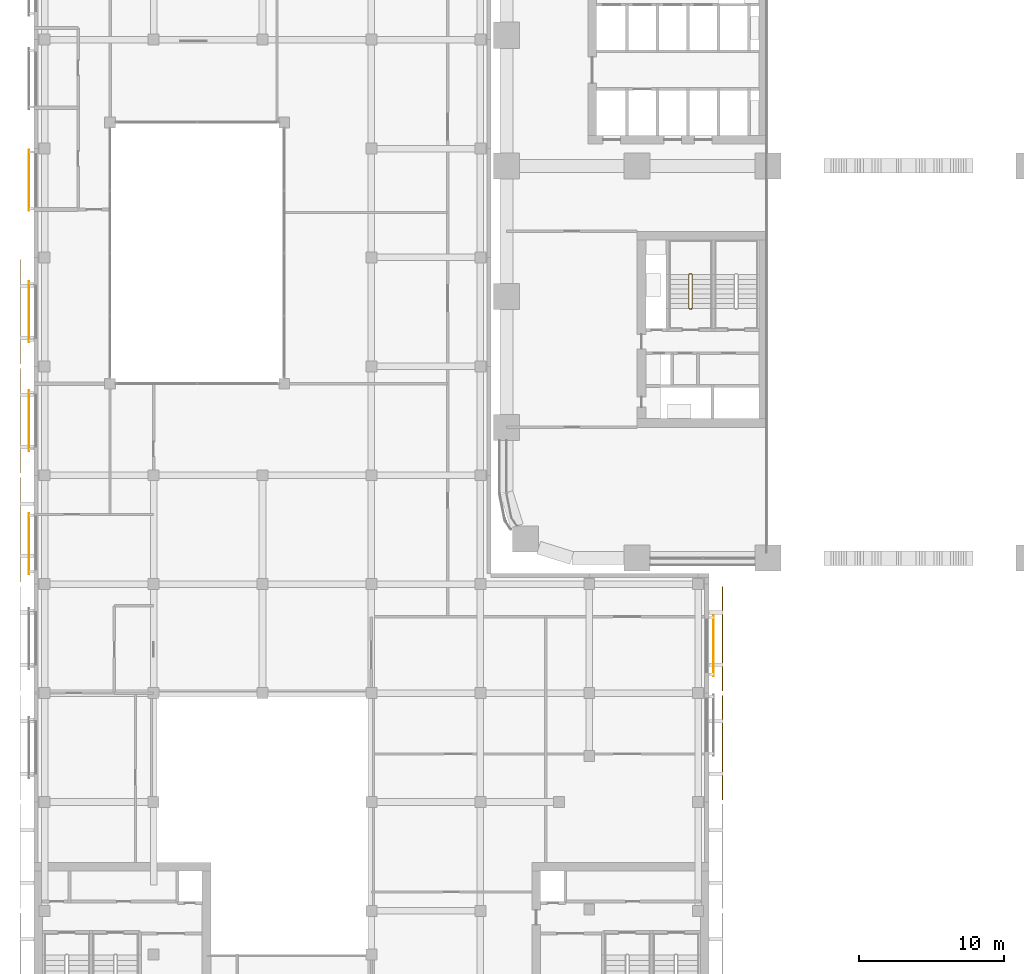
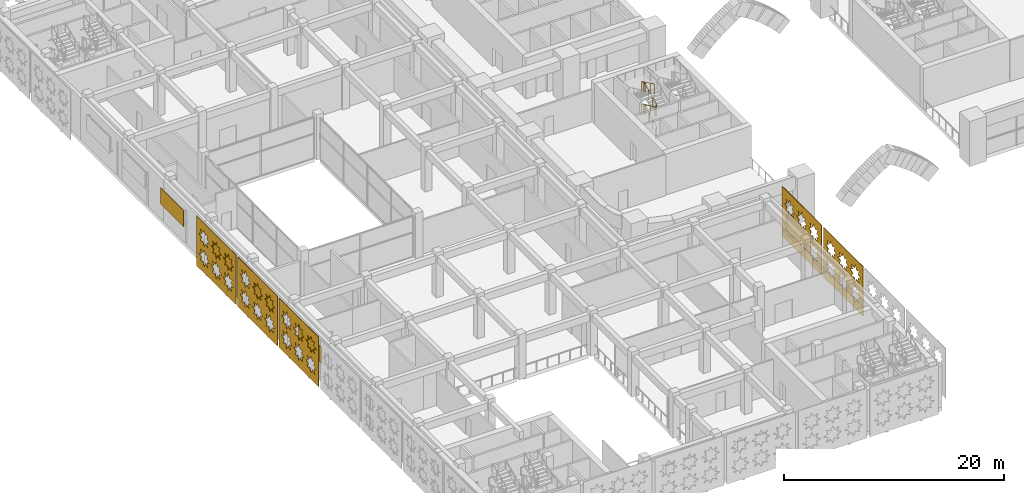
# One storey, part 32 of 40: 10 coverings, 1 railing.
"""IFC4 building model written with IfcOpenShell, lengths in metres."""

from ifc_helpers import new_model, si_unit, direction, frame, origin, origin_2d, place, context, subcontext, project, spatial, polyline, rectangle, circle, outline, extrude, material, layer, layer_set, type_object, element, save


model = new_model("IFC4")

# Units and contexts
model_context = context("Model", 3, precision=1e-05, world=origin(), true_north=direction((0.0, 1.0)))
body_context = subcontext(model_context, "Body", "Model", "MODEL_VIEW")
ifc_project = project(units=[si_unit("LENGTHUNIT", "METRE"), si_unit("AREAUNIT", "SQUARE_METRE"), si_unit("VOLUMEUNIT", "CUBIC_METRE"), si_unit("PLANEANGLEUNIT", "RADIAN"), si_unit("MASSUNIT", "GRAM", prefix="KILO")], contexts=[model_context])

# Site, building, storey
site_placement = place(None, origin())
site = spatial("IfcSite", under=ifc_project, at=site_placement, CompositionType="ELEMENT")
building_placement = place(site_placement, origin())
building = spatial("IfcBuilding", under=site, at=building_placement, Name="Tessera Arch", CompositionType="ELEMENT")
storey_placement = place(building_placement, frame((0.0, 0.0, 21.0)))
storey = spatial("IfcBuildingStorey", under=building, at=storey_placement, Name="L03", CompositionType="ELEMENT", Elevation=21.0)

# Coverings
ifc_material_1 = material(Name="Anodised aluminium pale metal", Category="aluminium")
ifc_layer_1 = layer(ifc_material_1, 0.050048828125)
ifc_layer_set_1 = layer_set([ifc_layer_1], Name="Museum lattice skin panel")
covering_type_1 = type_object("IfcCoveringType", Name="Museum lattice skin panel", PredefinedType="CLADDING", material=ifc_layer_set_1)
covering_1_placement = place(storey_placement, frame((14.85009765625, -16.64990234375, 5.60009765625), z_axis=(-1.0, 0.0, 0.0), x_axis=(0.0, 1.0, 0.0)))
element("IfcCovering", 1, at=covering_1_placement, inside=storey, type_object=covering_type_1, Name="Museum lattice skin L03 2-4", PredefinedType="CLADDING", context=body_context, shape_type="SweptSolid", body=[
    extrude(outline(polyline([(0.0, 0.0), (7.199951171875, 0.0), (7.199951171875, 5.5), (0.0, 5.5), (0.0, 0.0)]), holes=[polyline([(2.367919921875, 3.85009765625), (1.887939453125, 3.648193359375), (2.083984375, 3.166015625), (1.601806640625, 3.362060546875), (1.39990234375, 2.882080078125), (1.197998046875, 3.362060546875), (0.7158203125, 3.166015625), (0.911865234375, 3.648193359375), (0.431884765625, 3.85009765625), (0.911865234375, 4.052001953125), (0.7158203125, 4.5341796875), (1.197998046875, 4.338134765625), (1.39990234375, 4.818115234375), (1.601806640625, 4.338134765625), (2.083984375, 4.5341796875), (1.887939453125, 4.052001953125), (2.367919921875, 3.85009765625)]), polyline([(2.367919921875, 1.650146484375), (1.887939453125, 1.447998046875), (2.083984375, 0.966064453125), (1.601806640625, 1.162109375), (1.39990234375, 0.68212890625), (1.197998046875, 1.162109375), (0.7158203125, 0.966064453125), (0.911865234375, 1.447998046875), (0.431884765625, 1.650146484375), (0.911865234375, 1.85205078125), (0.7158203125, 2.333984375), (1.197998046875, 2.13818359375), (1.39990234375, 2.6181640625), (1.601806640625, 2.13818359375), (2.083984375, 2.333984375), (1.887939453125, 1.85205078125), (2.367919921875, 1.650146484375)]), polyline([(4.56787109375, 3.85009765625), (4.087890625, 3.648193359375), (4.283935546875, 3.166015625), (3.802001953125, 3.362060546875), (3.599853515625, 2.882080078125), (3.39794921875, 3.362060546875), (2.916015625, 3.166015625), (3.11181640625, 3.648193359375), (2.6318359375, 3.85009765625), (3.11181640625, 4.052001953125), (2.916015625, 4.5341796875), (3.39794921875, 4.338134765625), (3.599853515625, 4.818115234375), (3.802001953125, 4.338134765625), (4.283935546875, 4.5341796875), (4.087890625, 4.052001953125), (4.56787109375, 3.85009765625)]), polyline([(4.56787109375, 1.650146484375), (4.087890625, 1.447998046875), (4.283935546875, 0.966064453125), (3.802001953125, 1.162109375), (3.599853515625, 0.68212890625), (3.39794921875, 1.162109375), (2.916015625, 0.966064453125), (3.11181640625, 1.447998046875), (2.6318359375, 1.650146484375), (3.11181640625, 1.85205078125), (2.916015625, 2.333984375), (3.39794921875, 2.13818359375), (3.599853515625, 2.6181640625), (3.802001953125, 2.13818359375), (4.283935546875, 2.333984375), (4.087890625, 1.85205078125), (4.56787109375, 1.650146484375)]), polyline([(6.767822265625, 3.85009765625), (6.287841796875, 3.648193359375), (6.48388671875, 3.166015625), (6.001953125, 3.362060546875), (5.7998046875, 2.882080078125), (5.597900390625, 3.362060546875), (5.115966796875, 3.166015625), (5.31201171875, 3.648193359375), (4.831787109375, 3.85009765625), (5.31201171875, 4.052001953125), (5.115966796875, 4.5341796875), (5.597900390625, 4.338134765625), (5.7998046875, 4.818115234375), (6.001953125, 4.338134765625), (6.48388671875, 4.5341796875), (6.287841796875, 4.052001953125), (6.767822265625, 3.85009765625)]), polyline([(6.767822265625, 1.650146484375), (6.287841796875, 1.447998046875), (6.48388671875, 0.966064453125), (6.001953125, 1.162109375), (5.7998046875, 0.68212890625), (5.597900390625, 1.162109375), (5.115966796875, 0.966064453125), (5.31201171875, 1.447998046875), (4.831787109375, 1.650146484375), (5.31201171875, 1.85205078125), (5.115966796875, 2.333984375), (5.597900390625, 2.13818359375), (5.7998046875, 2.6181640625), (6.001953125, 2.13818359375), (6.48388671875, 2.333984375), (6.287841796875, 1.85205078125), (6.767822265625, 1.650146484375)])]), origin(), (0.0, 0.0, -1.0), 0.050048828125),
])
covering_2_placement = place(storey_placement, frame((14.85009765625, -9.14990234375, 5.60009765625), z_axis=(-1.0, 0.0, 0.0), x_axis=(0.0, 1.0, 0.0)))
element("IfcCovering", 2, at=covering_2_placement, inside=storey, type_object=covering_type_1, Name="Museum lattice skin L03 2-5", PredefinedType="CLADDING", context=body_context, shape_type="SweptSolid", body=[
    extrude(outline(polyline([(0.0, 0.0), (7.199951171875, 0.0), (7.199951171875, 5.5), (0.0, 5.5), (0.0, 0.0)]), holes=[polyline([(2.367919921875, 3.85009765625), (1.887939453125, 3.648193359375), (2.083984375, 3.166015625), (1.601806640625, 3.362060546875), (1.39990234375, 2.882080078125), (1.197998046875, 3.362060546875), (0.7158203125, 3.166015625), (0.911865234375, 3.648193359375), (0.431884765625, 3.85009765625), (0.911865234375, 4.052001953125), (0.7158203125, 4.5341796875), (1.197998046875, 4.338134765625), (1.39990234375, 4.818115234375), (1.601806640625, 4.338134765625), (2.083984375, 4.5341796875), (1.887939453125, 4.052001953125), (2.367919921875, 3.85009765625)]), polyline([(2.367919921875, 1.650146484375), (1.887939453125, 1.447998046875), (2.083984375, 0.966064453125), (1.601806640625, 1.162109375), (1.39990234375, 0.68212890625), (1.197998046875, 1.162109375), (0.7158203125, 0.966064453125), (0.911865234375, 1.447998046875), (0.431884765625, 1.650146484375), (0.911865234375, 1.85205078125), (0.7158203125, 2.333984375), (1.197998046875, 2.13818359375), (1.39990234375, 2.6181640625), (1.601806640625, 2.13818359375), (2.083984375, 2.333984375), (1.887939453125, 1.85205078125), (2.367919921875, 1.650146484375)]), polyline([(4.56787109375, 3.85009765625), (4.087890625, 3.648193359375), (4.283935546875, 3.166015625), (3.802001953125, 3.362060546875), (3.599853515625, 2.882080078125), (3.39794921875, 3.362060546875), (2.916015625, 3.166015625), (3.11181640625, 3.648193359375), (2.6318359375, 3.85009765625), (3.11181640625, 4.052001953125), (2.916015625, 4.5341796875), (3.39794921875, 4.338134765625), (3.599853515625, 4.818115234375), (3.802001953125, 4.338134765625), (4.283935546875, 4.5341796875), (4.087890625, 4.052001953125), (4.56787109375, 3.85009765625)]), polyline([(4.56787109375, 1.650146484375), (4.087890625, 1.447998046875), (4.283935546875, 0.966064453125), (3.802001953125, 1.162109375), (3.599853515625, 0.68212890625), (3.39794921875, 1.162109375), (2.916015625, 0.966064453125), (3.11181640625, 1.447998046875), (2.6318359375, 1.650146484375), (3.11181640625, 1.85205078125), (2.916015625, 2.333984375), (3.39794921875, 2.13818359375), (3.599853515625, 2.6181640625), (3.802001953125, 2.13818359375), (4.283935546875, 2.333984375), (4.087890625, 1.85205078125), (4.56787109375, 1.650146484375)]), polyline([(6.767822265625, 3.85009765625), (6.287841796875, 3.648193359375), (6.48388671875, 3.166015625), (6.001953125, 3.362060546875), (5.7998046875, 2.882080078125), (5.597900390625, 3.362060546875), (5.115966796875, 3.166015625), (5.31201171875, 3.648193359375), (4.831787109375, 3.85009765625), (5.31201171875, 4.052001953125), (5.115966796875, 4.5341796875), (5.597900390625, 4.338134765625), (5.7998046875, 4.818115234375), (6.001953125, 4.338134765625), (6.48388671875, 4.5341796875), (6.287841796875, 4.052001953125), (6.767822265625, 3.85009765625)]), polyline([(6.767822265625, 1.650146484375), (6.287841796875, 1.447998046875), (6.48388671875, 0.966064453125), (6.001953125, 1.162109375), (5.7998046875, 0.68212890625), (5.597900390625, 1.162109375), (5.115966796875, 0.966064453125), (5.31201171875, 1.447998046875), (4.831787109375, 1.650146484375), (5.31201171875, 1.85205078125), (5.115966796875, 2.333984375), (5.597900390625, 2.13818359375), (5.7998046875, 2.6181640625), (6.001953125, 2.13818359375), (6.48388671875, 2.333984375), (6.287841796875, 1.85205078125), (6.767822265625, 1.650146484375)])]), origin(), (0.0, 0.0, -1.0), 0.050048828125),
])
covering_3_placement = place(storey_placement, frame((-33.449951171875, 20.550048828125, 5.60009765625), z_axis=(1.0, 0.0, 0.0), x_axis=(0.0, -1.0, 0.0)))
element("IfcCovering", 3, at=covering_3_placement, inside=storey, type_object=covering_type_1, Name="Museum lattice skin L03 6-7", PredefinedType="CLADDING", context=body_context, shape_type="SweptSolid", body=[
    extrude(outline(polyline([(0.0, 0.0), (7.199951171875, 0.0), (7.199951171875, 5.5), (0.0, 5.5), (0.0, 0.0)]), holes=[polyline([(2.3681640625, 3.85009765625), (1.887939453125, 3.648193359375), (2.083984375, 3.166015625), (1.60205078125, 3.362060546875), (1.400146484375, 2.882080078125), (1.197998046875, 3.362060546875), (0.716064453125, 3.166015625), (0.912109375, 3.648193359375), (0.43212890625, 3.85009765625), (0.912109375, 4.052001953125), (0.716064453125, 4.5341796875), (1.197998046875, 4.338134765625), (1.400146484375, 4.818115234375), (1.60205078125, 4.338134765625), (2.083984375, 4.5341796875), (1.887939453125, 4.052001953125), (2.3681640625, 3.85009765625)]), polyline([(2.3681640625, 1.650146484375), (1.887939453125, 1.447998046875), (2.083984375, 0.966064453125), (1.60205078125, 1.162109375), (1.400146484375, 0.68212890625), (1.197998046875, 1.162109375), (0.716064453125, 0.966064453125), (0.912109375, 1.447998046875), (0.43212890625, 1.650146484375), (0.912109375, 1.85205078125), (0.716064453125, 2.333984375), (1.197998046875, 2.13818359375), (1.400146484375, 2.6181640625), (1.60205078125, 2.13818359375), (2.083984375, 2.333984375), (1.887939453125, 1.85205078125), (2.3681640625, 1.650146484375)]), polyline([(4.568115234375, 3.85009765625), (4.088134765625, 3.648193359375), (4.283935546875, 3.166015625), (3.802001953125, 3.362060546875), (3.60009765625, 2.882080078125), (3.39794921875, 3.362060546875), (2.916015625, 3.166015625), (3.112060546875, 3.648193359375), (2.632080078125, 3.85009765625), (3.112060546875, 4.052001953125), (2.916015625, 4.5341796875), (3.39794921875, 4.338134765625), (3.60009765625, 4.818115234375), (3.802001953125, 4.338134765625), (4.283935546875, 4.5341796875), (4.088134765625, 4.052001953125), (4.568115234375, 3.85009765625)]), polyline([(4.568115234375, 1.650146484375), (4.088134765625, 1.447998046875), (4.283935546875, 0.966064453125), (3.802001953125, 1.162109375), (3.60009765625, 0.68212890625), (3.39794921875, 1.162109375), (2.916015625, 0.966064453125), (3.112060546875, 1.447998046875), (2.632080078125, 1.650146484375), (3.112060546875, 1.85205078125), (2.916015625, 2.333984375), (3.39794921875, 2.13818359375), (3.60009765625, 2.6181640625), (3.802001953125, 2.13818359375), (4.283935546875, 2.333984375), (4.088134765625, 1.85205078125), (4.568115234375, 1.650146484375)]), polyline([(6.76806640625, 3.85009765625), (6.2880859375, 3.648193359375), (6.484130859375, 3.166015625), (6.001953125, 3.362060546875), (5.800048828125, 2.882080078125), (5.59814453125, 3.362060546875), (5.115966796875, 3.166015625), (5.31201171875, 3.648193359375), (4.83203125, 3.85009765625), (5.31201171875, 4.052001953125), (5.115966796875, 4.5341796875), (5.59814453125, 4.338134765625), (5.800048828125, 4.818115234375), (6.001953125, 4.338134765625), (6.484130859375, 4.5341796875), (6.2880859375, 4.052001953125), (6.76806640625, 3.85009765625)]), polyline([(6.76806640625, 1.650146484375), (6.2880859375, 1.447998046875), (6.484130859375, 0.966064453125), (6.001953125, 1.162109375), (5.800048828125, 0.68212890625), (5.59814453125, 1.162109375), (5.115966796875, 0.966064453125), (5.31201171875, 1.447998046875), (4.83203125, 1.650146484375), (5.31201171875, 1.85205078125), (5.115966796875, 2.333984375), (5.59814453125, 2.13818359375), (5.800048828125, 2.6181640625), (6.001953125, 2.13818359375), (6.484130859375, 2.333984375), (6.2880859375, 1.85205078125), (6.76806640625, 1.650146484375)])]), origin(), (0.0, 0.0, -1.0), 0.050048828125),
])
covering_4_placement = place(storey_placement, frame((-33.449951171875, 13.050048828125, 5.60009765625), z_axis=(1.0, 0.0, 0.0), x_axis=(0.0, -1.0, 0.0)))
element("IfcCovering", 4, at=covering_4_placement, inside=storey, type_object=covering_type_1, Name="Museum lattice skin L03 6-8", PredefinedType="CLADDING", context=body_context, shape_type="SweptSolid", body=[
    extrude(outline(polyline([(0.0, 0.0), (7.199951171875, 0.0), (7.199951171875, 5.5), (0.0, 5.5), (0.0, 0.0)]), holes=[polyline([(2.3681640625, 3.85009765625), (1.887939453125, 3.648193359375), (2.083984375, 3.166015625), (1.60205078125, 3.362060546875), (1.400146484375, 2.882080078125), (1.197998046875, 3.362060546875), (0.716064453125, 3.166015625), (0.912109375, 3.648193359375), (0.43212890625, 3.85009765625), (0.912109375, 4.052001953125), (0.716064453125, 4.5341796875), (1.197998046875, 4.338134765625), (1.400146484375, 4.818115234375), (1.60205078125, 4.338134765625), (2.083984375, 4.5341796875), (1.887939453125, 4.052001953125), (2.3681640625, 3.85009765625)]), polyline([(2.3681640625, 1.650146484375), (1.887939453125, 1.447998046875), (2.083984375, 0.966064453125), (1.60205078125, 1.162109375), (1.400146484375, 0.68212890625), (1.197998046875, 1.162109375), (0.716064453125, 0.966064453125), (0.912109375, 1.447998046875), (0.43212890625, 1.650146484375), (0.912109375, 1.85205078125), (0.716064453125, 2.333984375), (1.197998046875, 2.13818359375), (1.400146484375, 2.6181640625), (1.60205078125, 2.13818359375), (2.083984375, 2.333984375), (1.887939453125, 1.85205078125), (2.3681640625, 1.650146484375)]), polyline([(4.568115234375, 3.85009765625), (4.088134765625, 3.648193359375), (4.283935546875, 3.166015625), (3.802001953125, 3.362060546875), (3.60009765625, 2.882080078125), (3.39794921875, 3.362060546875), (2.916015625, 3.166015625), (3.112060546875, 3.648193359375), (2.632080078125, 3.85009765625), (3.112060546875, 4.052001953125), (2.916015625, 4.5341796875), (3.39794921875, 4.338134765625), (3.60009765625, 4.818115234375), (3.802001953125, 4.338134765625), (4.283935546875, 4.5341796875), (4.088134765625, 4.052001953125), (4.568115234375, 3.85009765625)]), polyline([(4.568115234375, 1.650146484375), (4.088134765625, 1.447998046875), (4.283935546875, 0.966064453125), (3.802001953125, 1.162109375), (3.60009765625, 0.68212890625), (3.39794921875, 1.162109375), (2.916015625, 0.966064453125), (3.112060546875, 1.447998046875), (2.632080078125, 1.650146484375), (3.112060546875, 1.85205078125), (2.916015625, 2.333984375), (3.39794921875, 2.13818359375), (3.60009765625, 2.6181640625), (3.802001953125, 2.13818359375), (4.283935546875, 2.333984375), (4.088134765625, 1.85205078125), (4.568115234375, 1.650146484375)]), polyline([(6.76806640625, 3.85009765625), (6.2880859375, 3.648193359375), (6.484130859375, 3.166015625), (6.001953125, 3.362060546875), (5.800048828125, 2.882080078125), (5.59814453125, 3.362060546875), (5.115966796875, 3.166015625), (5.31201171875, 3.648193359375), (4.83203125, 3.85009765625), (5.31201171875, 4.052001953125), (5.115966796875, 4.5341796875), (5.59814453125, 4.338134765625), (5.800048828125, 4.818115234375), (6.001953125, 4.338134765625), (6.484130859375, 4.5341796875), (6.2880859375, 4.052001953125), (6.76806640625, 3.85009765625)]), polyline([(6.76806640625, 1.650146484375), (6.2880859375, 1.447998046875), (6.484130859375, 0.966064453125), (6.001953125, 1.162109375), (5.800048828125, 0.68212890625), (5.59814453125, 1.162109375), (5.115966796875, 0.966064453125), (5.31201171875, 1.447998046875), (4.83203125, 1.650146484375), (5.31201171875, 1.85205078125), (5.115966796875, 2.333984375), (5.59814453125, 2.13818359375), (5.800048828125, 2.6181640625), (6.001953125, 2.13818359375), (6.484130859375, 2.333984375), (6.2880859375, 1.85205078125), (6.76806640625, 1.650146484375)])]), origin(), (0.0, 0.0, -1.0), 0.050048828125),
])
covering_5_placement = place(storey_placement, frame((-33.449951171875, 5.550048828125, 5.60009765625), z_axis=(1.0, 0.0, 0.0), x_axis=(0.0, -1.0, 0.0)))
element("IfcCovering", 5, at=covering_5_placement, inside=storey, type_object=covering_type_1, Name="Museum lattice skin L03 6-9", PredefinedType="CLADDING", context=body_context, shape_type="SweptSolid", body=[
    extrude(outline(polyline([(0.0, 0.0), (7.199951171875, 0.0), (7.199951171875, 5.5), (0.0, 5.5), (0.0, 0.0)]), holes=[polyline([(2.3681640625, 3.85009765625), (1.887939453125, 3.648193359375), (2.083984375, 3.166015625), (1.60205078125, 3.362060546875), (1.400146484375, 2.882080078125), (1.197998046875, 3.362060546875), (0.716064453125, 3.166015625), (0.912109375, 3.648193359375), (0.43212890625, 3.85009765625), (0.912109375, 4.052001953125), (0.716064453125, 4.5341796875), (1.197998046875, 4.338134765625), (1.400146484375, 4.818115234375), (1.60205078125, 4.338134765625), (2.083984375, 4.5341796875), (1.887939453125, 4.052001953125), (2.3681640625, 3.85009765625)]), polyline([(2.3681640625, 1.650146484375), (1.887939453125, 1.447998046875), (2.083984375, 0.966064453125), (1.60205078125, 1.162109375), (1.400146484375, 0.68212890625), (1.197998046875, 1.162109375), (0.716064453125, 0.966064453125), (0.912109375, 1.447998046875), (0.43212890625, 1.650146484375), (0.912109375, 1.85205078125), (0.716064453125, 2.333984375), (1.197998046875, 2.13818359375), (1.400146484375, 2.6181640625), (1.60205078125, 2.13818359375), (2.083984375, 2.333984375), (1.887939453125, 1.85205078125), (2.3681640625, 1.650146484375)]), polyline([(4.568115234375, 3.85009765625), (4.088134765625, 3.648193359375), (4.283935546875, 3.166015625), (3.802001953125, 3.362060546875), (3.60009765625, 2.882080078125), (3.39794921875, 3.362060546875), (2.916015625, 3.166015625), (3.112060546875, 3.648193359375), (2.632080078125, 3.85009765625), (3.112060546875, 4.052001953125), (2.916015625, 4.5341796875), (3.39794921875, 4.338134765625), (3.60009765625, 4.818115234375), (3.802001953125, 4.338134765625), (4.283935546875, 4.5341796875), (4.088134765625, 4.052001953125), (4.568115234375, 3.85009765625)]), polyline([(4.568115234375, 1.650146484375), (4.088134765625, 1.447998046875), (4.283935546875, 0.966064453125), (3.802001953125, 1.162109375), (3.60009765625, 0.68212890625), (3.39794921875, 1.162109375), (2.916015625, 0.966064453125), (3.112060546875, 1.447998046875), (2.632080078125, 1.650146484375), (3.112060546875, 1.85205078125), (2.916015625, 2.333984375), (3.39794921875, 2.13818359375), (3.60009765625, 2.6181640625), (3.802001953125, 2.13818359375), (4.283935546875, 2.333984375), (4.088134765625, 1.85205078125), (4.568115234375, 1.650146484375)]), polyline([(6.76806640625, 3.85009765625), (6.2880859375, 3.648193359375), (6.484130859375, 3.166015625), (6.001953125, 3.362060546875), (5.800048828125, 2.882080078125), (5.59814453125, 3.362060546875), (5.115966796875, 3.166015625), (5.31201171875, 3.648193359375), (4.83203125, 3.85009765625), (5.31201171875, 4.052001953125), (5.115966796875, 4.5341796875), (5.59814453125, 4.338134765625), (5.800048828125, 4.818115234375), (6.001953125, 4.338134765625), (6.484130859375, 4.5341796875), (6.2880859375, 4.052001953125), (6.76806640625, 3.85009765625)]), polyline([(6.76806640625, 1.650146484375), (6.2880859375, 1.447998046875), (6.484130859375, 0.966064453125), (6.001953125, 1.162109375), (5.800048828125, 0.68212890625), (5.59814453125, 1.162109375), (5.115966796875, 0.966064453125), (5.31201171875, 1.447998046875), (4.83203125, 1.650146484375), (5.31201171875, 1.85205078125), (5.115966796875, 2.333984375), (5.59814453125, 2.13818359375), (5.800048828125, 2.6181640625), (6.001953125, 2.13818359375), (6.484130859375, 2.333984375), (6.2880859375, 1.85205078125), (6.76806640625, 1.650146484375)])]), origin(), (0.0, 0.0, -1.0), 0.050048828125),
])
ifc_material_2 = material(Name="Anodised aluminium pale metal", Category="aluminium")
ifc_layer_2 = layer(ifc_material_2, 0.0400390625)
ifc_layer_set_2 = layer_set([ifc_layer_2], Name="Museum screen panel")
covering_type_2 = type_object("IfcCoveringType", Name="Museum screen panel", PredefinedType="CLADDING", material=ifc_layer_set_2)
for number, where, z_axis, x_axis, name in (
    (6, (14.27001953125, -6.050048828125, 2.10009765625), (0.0, 0.0, 1.0), (0.0, 1.0, 0.0), "Screen panel museum L03 2-5"),
    (7, (-32.8701171875, 26.0, 2.10009765625), (0.0, 0.0, 1.0), (0.0, -1.0, 0.0), "Screen panel museum L03 6-6"),
    (8, (-32.8701171875, 16.949951171875, 2.10009765625), (0.0, 0.0, 1.0), (0.0, -1.0, 0.0), "Screen panel museum L03 6-7"),
    (9, (-32.8701171875, 9.449951171875, 2.10009765625), (0.0, 0.0, 1.0), (0.0, -1.0, 0.0), "Screen panel museum L03 6-8"),
    (10, (-32.8701171875, 1.0, 2.10009765625), (0.0, 0.0, 1.0), (0.0, -1.0, 0.0), "Screen panel museum L03 6-9"),
):
    element("IfcCovering", number, at=place(storey_placement, frame(where, z_axis=z_axis, x_axis=x_axis)), inside=storey, type_object=covering_type_2, Name=name, PredefinedType="CLADDING", context=body_context, shape_type="SweptSolid", body=[
        extrude(rectangle(XDim=4.199951171875, YDim=0.0400390625, at=origin_2d()), origin(), (0.0, 0.0, 1.0), 1.800048828125),
    ])

# Railing
ifc_material_3 = material(Name="Painted steel balustrade", Category="steel")
railing_type = type_object("IfcRailingType", Name="Stair guard 1100", PredefinedType="GUARDRAIL", material=ifc_material_3)
railing_placement = place(storey_placement, frame((12.75, 17.14990234375, 0.0)))
element("IfcRailing", 11, at=railing_placement, inside=storey, type_object=railing_type, Name="L03 S4b stair guard 1", PredefinedType="GUARDRAIL", context=body_context, shape_type="SweptSolid", body=[
    extrude(circle(Radius=0.02392578125, at=origin_2d()), frame((0.00390625, 0.0, 1.076171875), z_axis=(-1.0, 0.0, 0.0), x_axis=(0.0, -1.0, 0.0)), (0.0, 0.0, 1.0), 0.157958984375),
    extrude(circle(Radius=0.02392578125, at=origin_2d()), frame((-0.153076171875, -0.000732421875, 1.07373046875), z_axis=(0.77305925043, 0.19350078918, 0.604100024756), x_axis=(-0.242814311512, 0.970072785993, 0.0)), (0.0, 0.0, 1.0), 0.2666015625),
    extrude(circle(Radius=0.02392578125, at=origin_2d()), frame((0.050048828125, 0.04638671875, 1.23046875), z_axis=(0.0, 0.903811734687, 0.427930307694), x_axis=(-1.0, 0.0, 0.0)), (0.0, 0.0, 1.0), 2.56396484375),
    extrude(circle(Radius=0.02392578125, at=origin_2d()), frame((0.052978515625, 2.357177734375, 2.326171875), z_axis=(-0.707106781187, 0.707106781187, 0.0), x_axis=(-0.707106781187, -0.707106781187, 0.0)), (0.0, 0.0, 1.0), 0.078857421875),
    extrude(circle(Radius=0.02392578125, at=origin_2d()), frame((0.00390625, 2.41015625, 2.326171875), z_axis=(-1.0, 0.0, 0.0), x_axis=(0.0, -1.0, 0.0)), (0.0, 0.0, 1.0), 0.157958984375),
    extrude(circle(Radius=0.02392578125, at=origin_2d()), frame((-0.148681640625, 2.411376953125, 2.322509765625), z_axis=(-0.29177245553, -0.29177245553, 0.91089937336), x_axis=(0.707106781187, -0.707106781187, 0.0)), (0.0, 0.0, 1.0), 0.179443359375),
    extrude(circle(Radius=0.02392578125, at=origin_2d()), frame((-0.199951171875, 2.36376953125, 2.48046875), z_axis=(0.0, -0.903811734687, 0.427930307694), x_axis=(1.0, 0.0, 0.0)), (0.0, 0.0, 1.0), 2.56396484375),
    extrude(circle(Radius=0.02392578125, at=origin_2d()), frame((-0.203857421875, 0.051025390625, 3.576171875), z_axis=(0.970072785993, -0.242814311512, 0.0), x_axis=(0.242814311512, 0.970072785993, 0.0)), (0.0, 0.0, 1.0), 0.214111328125),
    extrude(circle(Radius=0.02392578125, at=origin_2d()), frame((0.00390625, 0.0, 3.576171875), z_axis=(-1.0, 0.0, 0.0), x_axis=(0.0, -1.0, 0.0)), (0.0, 0.0, 1.0), 0.157958984375),
    extrude(circle(Radius=0.02392578125, at=origin_2d()), frame((-0.153076171875, -0.000732421875, 3.57373046875), z_axis=(0.77305925043, 0.19350078918, 0.604100024756), x_axis=(-0.242814311512, 0.970072785993, 0.0)), (0.0, 0.0, 1.0), 0.2666015625),
    extrude(circle(Radius=0.02392578125, at=origin_2d()), frame((0.050048828125, 0.04638671875, 3.73046875), z_axis=(0.0, 0.903811734687, 0.427930307694), x_axis=(-1.0, 0.0, 0.0)), (0.0, 0.0, 1.0), 2.56396484375),
    extrude(circle(Radius=0.02392578125, at=origin_2d()), frame((0.052978515625, 2.357177734375, 4.826171875), z_axis=(-0.707106781187, 0.707106781187, 0.0), x_axis=(-0.707106781187, -0.707106781187, 0.0)), (0.0, 0.0, 1.0), 0.078857421875),
    extrude(circle(Radius=0.02392578125, at=origin_2d()), frame((0.00390625, 2.41015625, 4.826171875), z_axis=(-1.0, 0.0, 0.0), x_axis=(0.0, -1.0, 0.0)), (0.0, 0.0, 1.0), 0.157958984375),
    extrude(circle(Radius=0.02392578125, at=origin_2d()), frame((-0.148681640625, 2.411376953125, 4.822509765625), z_axis=(-0.29177245553, -0.29177245553, 0.91089937336), x_axis=(0.707106781187, -0.707106781187, 0.0)), (0.0, 0.0, 1.0), 0.179443359375),
    extrude(circle(Radius=0.02392578125, at=origin_2d()), frame((-0.199951171875, 2.36376953125, 4.98046875), z_axis=(0.0, -0.903811734687, 0.427930307694), x_axis=(1.0, 0.0, 0.0)), (0.0, 0.0, 1.0), 2.56396484375),
    extrude(circle(Radius=0.02099609375, at=origin_2d()), origin(), (0.0, 0.0, 1.0), 1.06396484375),
    extrude(circle(Radius=0.02099609375, at=origin_2d()), frame((-0.14990234375, 0.0, 0.0)), (0.0, 0.0, 1.0), 1.06396484375),
    extrude(circle(Radius=0.02099609375, at=origin_2d()), frame((0.050048828125, 0.050048828125, 0.15625)), (0.0, 0.0, 1.0), 1.06396484375),
    extrude(circle(Radius=0.02099609375, at=origin_2d()), frame((0.050048828125, 0.820068359375, 0.520751953125)), (0.0, 0.0, 1.0), 1.06396484375),
    extrude(circle(Radius=0.02099609375, at=origin_2d()), frame((0.050048828125, 1.590087890625, 0.885498046875)), (0.0, 0.0, 1.0), 1.06396484375),
    extrude(circle(Radius=0.02099609375, at=origin_2d()), frame((0.050048828125, 2.360107421875, 1.25)), (0.0, 0.0, 1.0), 1.06396484375),
    extrude(circle(Radius=0.02099609375, at=origin_2d()), frame((0.0, 2.41015625, 1.25)), (0.0, 0.0, 1.0), 1.06396484375),
    extrude(circle(Radius=0.02099609375, at=origin_2d()), frame((-0.14990234375, 2.41015625, 1.25)), (0.0, 0.0, 1.0), 1.06396484375),
    extrude(circle(Radius=0.02099609375, at=origin_2d()), frame((-0.199951171875, 2.360107421875, 1.40625)), (0.0, 0.0, 1.0), 1.06396484375),
    extrude(circle(Radius=0.02099609375, at=origin_2d()), frame((-0.199951171875, 1.590087890625, 1.770751953125)), (0.0, 0.0, 1.0), 1.06396484375),
    extrude(circle(Radius=0.02099609375, at=origin_2d()), frame((-0.199951171875, 0.820068359375, 2.135498046875)), (0.0, 0.0, 1.0), 1.06396484375),
    extrude(circle(Radius=0.02099609375, at=origin_2d()), frame((-0.199951171875, 0.050048828125, 2.5)), (0.0, 0.0, 1.0), 1.06396484375),
    extrude(circle(Radius=0.02099609375, at=origin_2d()), frame((0.0, 0.0, 2.5)), (0.0, 0.0, 1.0), 1.06396484375),
    extrude(circle(Radius=0.02099609375, at=origin_2d()), frame((-0.14990234375, 0.0, 2.5)), (0.0, 0.0, 1.0), 1.06396484375),
    extrude(circle(Radius=0.02099609375, at=origin_2d()), frame((0.050048828125, 0.050048828125, 2.65625)), (0.0, 0.0, 1.0), 1.06396484375),
    extrude(circle(Radius=0.02099609375, at=origin_2d()), frame((0.050048828125, 0.820068359375, 3.020751953125)), (0.0, 0.0, 1.0), 1.06396484375),
    extrude(circle(Radius=0.02099609375, at=origin_2d()), frame((0.050048828125, 1.590087890625, 3.385498046875)), (0.0, 0.0, 1.0), 1.06396484375),
    extrude(circle(Radius=0.02099609375, at=origin_2d()), frame((0.050048828125, 2.360107421875, 3.75)), (0.0, 0.0, 1.0), 1.06396484375),
    extrude(circle(Radius=0.02099609375, at=origin_2d()), frame((0.0, 2.41015625, 3.75)), (0.0, 0.0, 1.0), 1.06396484375),
    extrude(circle(Radius=0.02099609375, at=origin_2d()), frame((-0.14990234375, 2.41015625, 3.75)), (0.0, 0.0, 1.0), 1.06396484375),
    extrude(circle(Radius=0.02099609375, at=origin_2d()), frame((-0.199951171875, 2.360107421875, 3.90625)), (0.0, 0.0, 1.0), 1.06396484375),
    extrude(circle(Radius=0.02099609375, at=origin_2d()), frame((-0.199951171875, 1.590087890625, 4.270751953125)), (0.0, 0.0, 1.0), 1.06396484375),
    extrude(circle(Radius=0.02099609375, at=origin_2d()), frame((-0.199951171875, 0.820068359375, 4.635498046875)), (0.0, 0.0, 1.0), 1.06396484375),
    extrude(circle(Radius=0.02099609375, at=origin_2d()), frame((-0.199951171875, 0.050048828125, 5.0)), (0.0, 0.0, 1.0), 1.06396484375),
])

save(model, "model.ifc")
